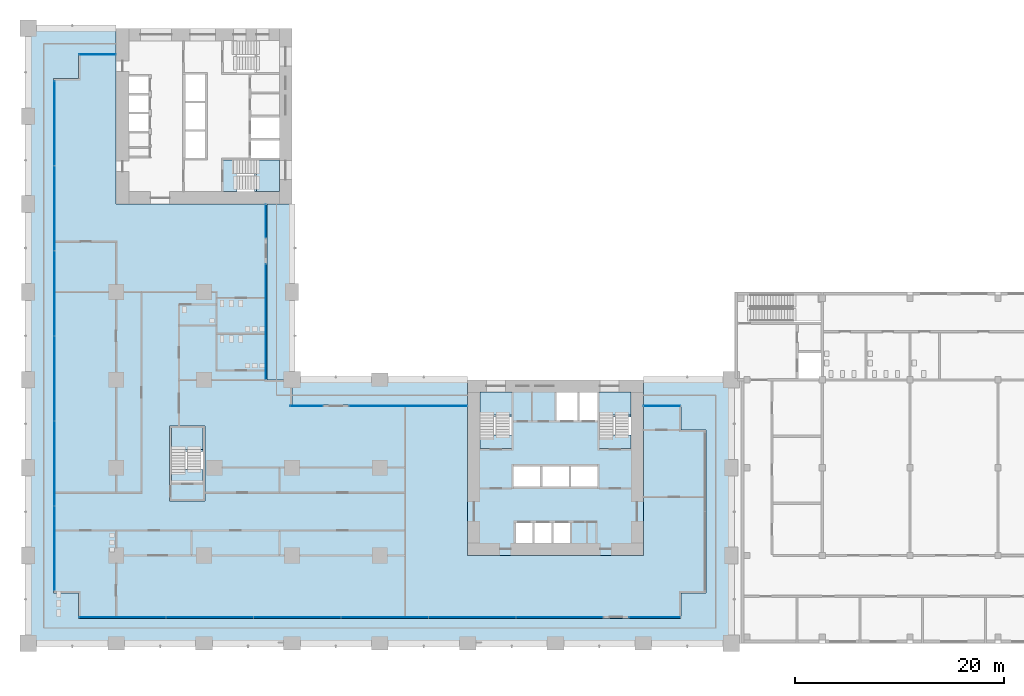
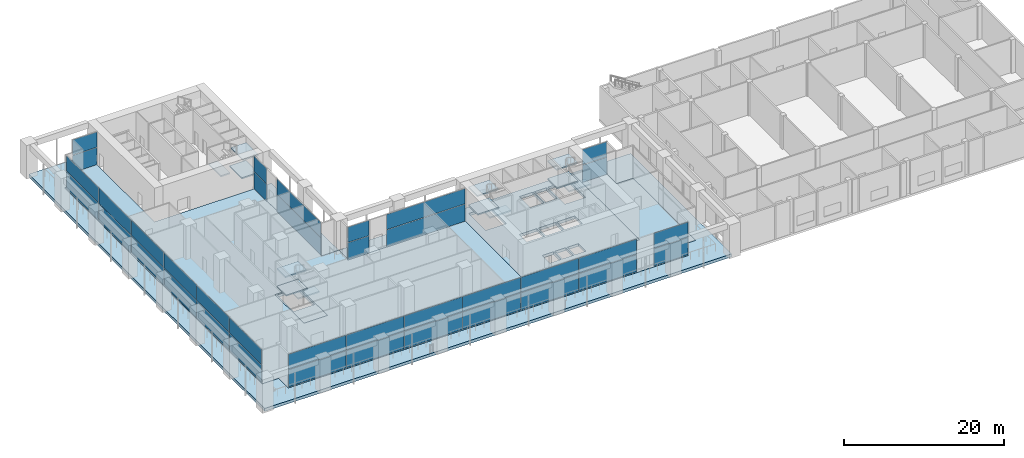
# One storey, part 13 of 33: 38 plates, 18 slabs, 13 elements without a shape of their own.
"""IFC4 building model written with IfcOpenShell, lengths in metres."""

from ifc_helpers import new_model, si_unit, direction, frame, origin, origin_2d, place, context, subcontext, project, spatial, polyline, rectangle, outline, extrude, material, layer, layer_set, type_object, element, aggregate, save


model = new_model("IFC4")

# Units and contexts
model_context = context("Model", 3, precision=1e-05, world=origin(), true_north=direction((0.0, 1.0)))
body_context = subcontext(model_context, "Body", "Model", "MODEL_VIEW")
ifc_project = project(units=[si_unit("LENGTHUNIT", "METRE"), si_unit("AREAUNIT", "SQUARE_METRE"), si_unit("VOLUMEUNIT", "CUBIC_METRE"), si_unit("PLANEANGLEUNIT", "RADIAN"), si_unit("MASSUNIT", "GRAM", prefix="KILO")], contexts=[model_context])

# Site, building, storey
site_placement = place(None, origin())
site = spatial("IfcSite", under=ifc_project, at=site_placement, CompositionType="ELEMENT")
building_placement = place(site_placement, origin())
building = spatial("IfcBuilding", under=site, at=building_placement, Name="Vermilion Gate Residences", CompositionType="ELEMENT")
storey_placement = place(building_placement, frame((0.0, 0.0, 14.39990234375)))
storey = spatial("IfcBuildingStorey", under=building, at=storey_placement, Name="L02", CompositionType="ELEMENT", Elevation=14.39990234375)

# Curtain wall, plates
ifc_material_1 = material(Name="Aluminium and glass", Category="aluminium")
curtain_wall_type = type_object("IfcCurtainWallType", Name="AMENITY GLAZING CURTAIN WALL", PredefinedType="NOTDEFINED", material=ifc_material_1)
curtain_wall_1_placement = place(storey_placement, origin())
curtain_wall_1 = element("IfcCurtainWall", 1, at=curtain_wall_1_placement, inside=storey, type_object=curtain_wall_type, Name="Amenity Glazing 0", PredefinedType="NOTDEFINED")
ifc_material_2 = material(Name="Low-iron glass", Category="glass")
ifc_layer_1 = layer(ifc_material_2, 0.028076171875)
ifc_layer_set_1 = layer_set([ifc_layer_1], Name="AMENITY GLAZING GLASS PANEL 28")
plate_type = type_object("IfcPlateType", Name="AMENITY GLAZING GLASS PANEL 28", PredefinedType="CURTAIN_PANEL", material=ifc_layer_set_1)
plate_1_placement = place(storey_placement, frame((6.60009765625, 56.300048828125, 0.06005859375), z_axis=(0.0, 0.0, 1.0), x_axis=(-1.0, 0.0, 0.0)))
plate_1 = element("IfcPlate", 2, at=plate_1_placement, type_object=plate_type, Name="ECW2 panel 1.1", PredefinedType="CURTAIN_PANEL", context=body_context, shape_type="SweptSolid", body=[
    extrude(rectangle(XDim=3.47998046875, YDim=0.028076171875, at=origin_2d()), origin(), (0.0, 0.0, 1.0), 2.610107421875),
])
plate_2_placement = place(storey_placement, frame((6.60009765625, 56.300048828125, 2.72998046875), z_axis=(0.0, 0.0, 1.0), x_axis=(-1.0, 0.0, 0.0)))
plate_2 = element("IfcPlate", 3, at=plate_2_placement, type_object=plate_type, Name="ECW2 panel 1.2", PredefinedType="CURTAIN_PANEL", context=body_context, shape_type="SweptSolid", body=[
    extrude(rectangle(XDim=3.47998046875, YDim=0.028076171875, at=origin_2d()), origin(), (0.0, 0.0, 1.0), 2.31005859375),
])
aggregate(curtain_wall_1, [plate_1, plate_2])

curtain_wall_2_placement = place(storey_placement, origin())
curtain_wall_2 = element("IfcCurtainWall", 4, at=curtain_wall_2_placement, inside=storey, type_object=curtain_wall_type, Name="Amenity Glazing 30", PredefinedType="NOTDEFINED")
plate_3_placement = place(storey_placement, frame((2.5, 49.71826171875, 0.06005859375), z_axis=(0.0, 0.0, 1.0), x_axis=(0.0, -1.0, 0.0)))
plate_3 = element("IfcPlate", 5, at=plate_3_placement, type_object=plate_type, Name="ECW2 panel 1.1", PredefinedType="CURTAIN_PANEL", context=body_context, shape_type="SweptSolid", body=[
    extrude(rectangle(XDim=8.043212890625, YDim=0.028076171875, at=origin_2d()), origin(), (0.0, 0.0, 1.0), 2.610107421875),
])
plate_4_placement = place(storey_placement, frame((2.5, 49.71826171875, 2.72998046875), z_axis=(0.0, 0.0, 1.0), x_axis=(0.0, -1.0, 0.0)))
plate_4 = element("IfcPlate", 6, at=plate_4_placement, type_object=plate_type, Name="ECW2 panel 1.2", PredefinedType="CURTAIN_PANEL", context=body_context, shape_type="SweptSolid", body=[
    extrude(rectangle(XDim=8.043212890625, YDim=0.028076171875, at=origin_2d()), origin(), (0.0, 0.0, 1.0), 2.31005859375),
])
plate_5_placement = place(storey_placement, frame((2.5, 41.60009765625, 0.06005859375), z_axis=(0.0, 0.0, 1.0), x_axis=(0.0, -1.0, 0.0)))
plate_5 = element("IfcPlate", 7, at=plate_5_placement, type_object=plate_type, Name="ECW2 panel 2.1", PredefinedType="CURTAIN_PANEL", context=body_context, shape_type="SweptSolid", body=[
    extrude(rectangle(XDim=8.0732421875, YDim=0.028076171875, at=origin_2d()), origin(), (0.0, 0.0, 1.0), 2.610107421875),
])
plate_6_placement = place(storey_placement, frame((2.5, 41.60009765625, 2.72998046875), z_axis=(0.0, 0.0, 1.0), x_axis=(0.0, -1.0, 0.0)))
plate_6 = element("IfcPlate", 8, at=plate_6_placement, type_object=plate_type, Name="ECW2 panel 2.2", PredefinedType="CURTAIN_PANEL", context=body_context, shape_type="SweptSolid", body=[
    extrude(rectangle(XDim=8.0732421875, YDim=0.028076171875, at=origin_2d()), origin(), (0.0, 0.0, 1.0), 2.31005859375),
])
plate_7_placement = place(storey_placement, frame((2.5, 33.466552734375, 0.06005859375), z_axis=(0.0, 0.0, 1.0), x_axis=(0.0, -1.0, 0.0)))
plate_7 = element("IfcPlate", 9, at=plate_7_placement, type_object=plate_type, Name="ECW2 panel 3.1", PredefinedType="CURTAIN_PANEL", context=body_context, shape_type="SweptSolid", body=[
    extrude(rectangle(XDim=8.0732421875, YDim=0.028076171875, at=origin_2d()), origin(), (0.0, 0.0, 1.0), 2.610107421875),
])
plate_8_placement = place(storey_placement, frame((2.5, 33.466552734375, 2.72998046875), z_axis=(0.0, 0.0, 1.0), x_axis=(0.0, -1.0, 0.0)))
plate_8 = element("IfcPlate", 10, at=plate_8_placement, type_object=plate_type, Name="ECW2 panel 3.2", PredefinedType="CURTAIN_PANEL", context=body_context, shape_type="SweptSolid", body=[
    extrude(rectangle(XDim=8.0732421875, YDim=0.028076171875, at=origin_2d()), origin(), (0.0, 0.0, 1.0), 2.31005859375),
])
plate_9_placement = place(storey_placement, frame((2.5, 25.333251953125, 0.06005859375), z_axis=(0.0, 0.0, 1.0), x_axis=(0.0, -1.0, 0.0)))
plate_9 = element("IfcPlate", 11, at=plate_9_placement, type_object=plate_type, Name="ECW2 panel 4.1", PredefinedType="CURTAIN_PANEL", context=body_context, shape_type="SweptSolid", body=[
    extrude(rectangle(XDim=8.0732421875, YDim=0.028076171875, at=origin_2d()), origin(), (0.0, 0.0, 1.0), 2.610107421875),
])
plate_10_placement = place(storey_placement, frame((2.5, 25.333251953125, 2.72998046875), z_axis=(0.0, 0.0, 1.0), x_axis=(0.0, -1.0, 0.0)))
plate_10 = element("IfcPlate", 12, at=plate_10_placement, type_object=plate_type, Name="ECW2 panel 4.2", PredefinedType="CURTAIN_PANEL", context=body_context, shape_type="SweptSolid", body=[
    extrude(rectangle(XDim=8.0732421875, YDim=0.028076171875, at=origin_2d()), origin(), (0.0, 0.0, 1.0), 2.31005859375),
])
plate_11_placement = place(storey_placement, frame((2.5, 17.199951171875, 0.06005859375), z_axis=(0.0, 0.0, 1.0), x_axis=(0.0, -1.0, 0.0)))
plate_11 = element("IfcPlate", 13, at=plate_11_placement, type_object=plate_type, Name="ECW2 panel 5.1", PredefinedType="CURTAIN_PANEL", context=body_context, shape_type="SweptSolid", body=[
    extrude(rectangle(XDim=8.0732421875, YDim=0.028076171875, at=origin_2d()), origin(), (0.0, 0.0, 1.0), 2.610107421875),
])
plate_12_placement = place(storey_placement, frame((2.5, 17.199951171875, 2.72998046875), z_axis=(0.0, 0.0, 1.0), x_axis=(0.0, -1.0, 0.0)))
plate_12 = element("IfcPlate", 14, at=plate_12_placement, type_object=plate_type, Name="ECW2 panel 5.2", PredefinedType="CURTAIN_PANEL", context=body_context, shape_type="SweptSolid", body=[
    extrude(rectangle(XDim=8.0732421875, YDim=0.028076171875, at=origin_2d()), origin(), (0.0, 0.0, 1.0), 2.31005859375),
])
plate_13_placement = place(storey_placement, frame((2.5, 9.081787109375, 0.06005859375), z_axis=(0.0, 0.0, 1.0), x_axis=(0.0, -1.0, 0.0)))
plate_13 = element("IfcPlate", 15, at=plate_13_placement, type_object=plate_type, Name="ECW2 panel 6.1", PredefinedType="CURTAIN_PANEL", context=body_context, shape_type="SweptSolid", body=[
    extrude(rectangle(XDim=8.043212890625, YDim=0.028076171875, at=origin_2d()), origin(), (0.0, 0.0, 1.0), 2.610107421875),
])
plate_14_placement = place(storey_placement, frame((2.5, 9.081787109375, 2.72998046875), z_axis=(0.0, 0.0, 1.0), x_axis=(0.0, -1.0, 0.0)))
plate_14 = element("IfcPlate", 16, at=plate_14_placement, type_object=plate_type, Name="ECW2 panel 6.2", PredefinedType="CURTAIN_PANEL", context=body_context, shape_type="SweptSolid", body=[
    extrude(rectangle(XDim=8.043212890625, YDim=0.028076171875, at=origin_2d()), origin(), (0.0, 0.0, 1.0), 2.31005859375),
])
aggregate(curtain_wall_2, [plate_3, plate_4, plate_5, plate_6, plate_7, plate_8, plate_9, plate_10, plate_11, plate_12, plate_13, plate_14])

curtain_wall_3_placement = place(storey_placement, origin())
curtain_wall_3 = element("IfcCurtainWall", 17, at=curtain_wall_3_placement, inside=storey, type_object=curtain_wall_type, Name="Amenity Glazing 60", PredefinedType="NOTDEFINED")
plate_15_placement = place(storey_placement, frame((8.998291015625, 2.5, 0.06005859375), z_axis=(0.0, 0.0, 1.0), x_axis=(1.0, 0.0, 0.0)))
plate_15 = element("IfcPlate", 18, at=plate_15_placement, type_object=plate_type, Name="ECW2 panel 1.1", PredefinedType="CURTAIN_PANEL", context=body_context, shape_type="SweptSolid", body=[
    extrude(rectangle(XDim=8.276611328125, YDim=0.028076171875, at=origin_2d()), origin(), (0.0, 0.0, 1.0), 2.610107421875),
])
plate_16_placement = place(storey_placement, frame((8.998291015625, 2.5, 2.72998046875), z_axis=(0.0, 0.0, 1.0), x_axis=(1.0, 0.0, 0.0)))
plate_16 = element("IfcPlate", 19, at=plate_16_placement, type_object=plate_type, Name="ECW2 panel 1.2", PredefinedType="CURTAIN_PANEL", context=body_context, shape_type="SweptSolid", body=[
    extrude(rectangle(XDim=8.276611328125, YDim=0.028076171875, at=origin_2d()), origin(), (0.0, 0.0, 1.0), 2.31005859375),
])
plate_17_placement = place(storey_placement, frame((17.35009765625, 2.5, 0.06005859375), z_axis=(0.0, 0.0, 1.0), x_axis=(1.0, 0.0, 0.0)))
plate_17 = element("IfcPlate", 20, at=plate_17_placement, type_object=plate_type, Name="ECW2 panel 2.1", PredefinedType="CURTAIN_PANEL", context=body_context, shape_type="SweptSolid", body=[
    extrude(rectangle(XDim=8.306640625, YDim=0.028076171875, at=origin_2d()), origin(), (0.0, 0.0, 1.0), 2.610107421875),
])
plate_18_placement = place(storey_placement, frame((17.35009765625, 2.5, 2.72998046875), z_axis=(0.0, 0.0, 1.0), x_axis=(1.0, 0.0, 0.0)))
plate_18 = element("IfcPlate", 21, at=plate_18_placement, type_object=plate_type, Name="ECW2 panel 2.2", PredefinedType="CURTAIN_PANEL", context=body_context, shape_type="SweptSolid", body=[
    extrude(rectangle(XDim=8.306640625, YDim=0.028076171875, at=origin_2d()), origin(), (0.0, 0.0, 1.0), 2.31005859375),
])
plate_19_placement = place(storey_placement, frame((25.716552734375, 2.5, 0.06005859375), z_axis=(0.0, 0.0, 1.0), x_axis=(1.0, 0.0, 0.0)))
plate_19 = element("IfcPlate", 22, at=plate_19_placement, type_object=plate_type, Name="ECW2 panel 3.1", PredefinedType="CURTAIN_PANEL", context=body_context, shape_type="SweptSolid", body=[
    extrude(rectangle(XDim=8.306640625, YDim=0.028076171875, at=origin_2d()), origin(), (0.0, 0.0, 1.0), 2.610107421875),
])
plate_20_placement = place(storey_placement, frame((25.716552734375, 2.5, 2.72998046875), z_axis=(0.0, 0.0, 1.0), x_axis=(1.0, 0.0, 0.0)))
plate_20 = element("IfcPlate", 23, at=plate_20_placement, type_object=plate_type, Name="ECW2 panel 3.2", PredefinedType="CURTAIN_PANEL", context=body_context, shape_type="SweptSolid", body=[
    extrude(rectangle(XDim=8.306640625, YDim=0.028076171875, at=origin_2d()), origin(), (0.0, 0.0, 1.0), 2.31005859375),
])
plate_21_placement = place(storey_placement, frame((34.083251953125, 2.5, 0.06005859375), z_axis=(0.0, 0.0, 1.0), x_axis=(1.0, 0.0, 0.0)))
plate_21 = element("IfcPlate", 24, at=plate_21_placement, type_object=plate_type, Name="ECW2 panel 4.1", PredefinedType="CURTAIN_PANEL", context=body_context, shape_type="SweptSolid", body=[
    extrude(rectangle(XDim=8.306640625, YDim=0.028076171875, at=origin_2d()), origin(), (0.0, 0.0, 1.0), 2.610107421875),
])
plate_22_placement = place(storey_placement, frame((34.083251953125, 2.5, 2.72998046875), z_axis=(0.0, 0.0, 1.0), x_axis=(1.0, 0.0, 0.0)))
plate_22 = element("IfcPlate", 25, at=plate_22_placement, type_object=plate_type, Name="ECW2 panel 4.2", PredefinedType="CURTAIN_PANEL", context=body_context, shape_type="SweptSolid", body=[
    extrude(rectangle(XDim=8.306640625, YDim=0.028076171875, at=origin_2d()), origin(), (0.0, 0.0, 1.0), 2.31005859375),
])
plate_23_placement = place(storey_placement, frame((42.449951171875, 2.5, 0.06005859375), z_axis=(0.0, 0.0, 1.0), x_axis=(1.0, 0.0, 0.0)))
plate_23 = element("IfcPlate", 26, at=plate_23_placement, type_object=plate_type, Name="ECW2 panel 5.1", PredefinedType="CURTAIN_PANEL", context=body_context, shape_type="SweptSolid", body=[
    extrude(rectangle(XDim=8.306640625, YDim=0.028076171875, at=origin_2d()), origin(), (0.0, 0.0, 1.0), 2.610107421875),
])
plate_24_placement = place(storey_placement, frame((42.449951171875, 2.5, 2.72998046875), z_axis=(0.0, 0.0, 1.0), x_axis=(1.0, 0.0, 0.0)))
plate_24 = element("IfcPlate", 27, at=plate_24_placement, type_object=plate_type, Name="ECW2 panel 5.2", PredefinedType="CURTAIN_PANEL", context=body_context, shape_type="SweptSolid", body=[
    extrude(rectangle(XDim=8.306640625, YDim=0.028076171875, at=origin_2d()), origin(), (0.0, 0.0, 1.0), 2.31005859375),
])
plate_25_placement = place(storey_placement, frame((50.8017578125, 2.5, 0.06005859375), z_axis=(0.0, 0.0, 1.0), x_axis=(1.0, 0.0, 0.0)))
plate_25 = element("IfcPlate", 28, at=plate_25_placement, type_object=plate_type, Name="ECW2 panel 6.1", PredefinedType="CURTAIN_PANEL", context=body_context, shape_type="SweptSolid", body=[
    extrude(rectangle(XDim=8.276611328125, YDim=0.028076171875, at=origin_2d()), origin(), (0.0, 0.0, 1.0), 2.610107421875),
])
plate_26_placement = place(storey_placement, frame((50.8017578125, 2.5, 2.72998046875), z_axis=(0.0, 0.0, 1.0), x_axis=(1.0, 0.0, 0.0)))
plate_26 = element("IfcPlate", 29, at=plate_26_placement, type_object=plate_type, Name="ECW2 panel 6.2", PredefinedType="CURTAIN_PANEL", context=body_context, shape_type="SweptSolid", body=[
    extrude(rectangle(XDim=8.276611328125, YDim=0.028076171875, at=origin_2d()), origin(), (0.0, 0.0, 1.0), 2.31005859375),
])
aggregate(curtain_wall_3, [plate_15, plate_16, plate_17, plate_18, plate_19, plate_20, plate_21, plate_22, plate_23, plate_24, plate_25, plate_26])

curtain_wall_4_placement = place(storey_placement, origin())
curtain_wall_4 = element("IfcCurtainWall", 30, at=curtain_wall_4_placement, inside=storey, type_object=curtain_wall_type, Name="Amenity Glazing 62", PredefinedType="NOTDEFINED")
plate_27_placement = place(storey_placement, frame((59.89990234375, 2.5, 0.06005859375), z_axis=(0.0, 0.0, 1.0), x_axis=(1.0, 0.0, 0.0)))
plate_27 = element("IfcPlate", 31, at=plate_27_placement, type_object=plate_type, Name="ECW2 panel 1.1", PredefinedType="CURTAIN_PANEL", context=body_context, shape_type="SweptSolid", body=[
    extrude(rectangle(XDim=4.8798828125, YDim=0.028076171875, at=origin_2d()), origin(), (0.0, 0.0, 1.0), 2.610107421875),
])
plate_28_placement = place(storey_placement, frame((59.89990234375, 2.5, 2.72998046875), z_axis=(0.0, 0.0, 1.0), x_axis=(1.0, 0.0, 0.0)))
plate_28 = element("IfcPlate", 32, at=plate_28_placement, type_object=plate_type, Name="ECW2 panel 1.2", PredefinedType="CURTAIN_PANEL", context=body_context, shape_type="SweptSolid", body=[
    extrude(rectangle(XDim=4.8798828125, YDim=0.028076171875, at=origin_2d()), origin(), (0.0, 0.0, 1.0), 2.31005859375),
])
aggregate(curtain_wall_4, [plate_27, plate_28])

curtain_wall_5_placement = place(storey_placement, origin())
curtain_wall_5 = element("IfcCurtainWall", 33, at=curtain_wall_5_placement, inside=storey, type_object=curtain_wall_type, Name="Amenity Glazing 120", PredefinedType="NOTDEFINED")
plate_29_placement = place(storey_placement, frame((60.60009765625, 22.699951171875, 0.06005859375), z_axis=(0.0, 0.0, 1.0), x_axis=(-1.0, 0.0, 0.0)))
plate_29 = element("IfcPlate", 34, at=plate_29_placement, type_object=plate_type, Name="ECW2 panel 1.1", PredefinedType="CURTAIN_PANEL", context=body_context, shape_type="SweptSolid", body=[
    extrude(rectangle(XDim=3.47998046875, YDim=0.028076171875, at=origin_2d()), origin(), (0.0, 0.0, 1.0), 2.610107421875),
])
plate_30_placement = place(storey_placement, frame((60.60009765625, 22.699951171875, 2.72998046875), z_axis=(0.0, 0.0, 1.0), x_axis=(-1.0, 0.0, 0.0)))
plate_30 = element("IfcPlate", 35, at=plate_30_placement, type_object=plate_type, Name="ECW2 panel 1.2", PredefinedType="CURTAIN_PANEL", context=body_context, shape_type="SweptSolid", body=[
    extrude(rectangle(XDim=3.47998046875, YDim=0.028076171875, at=origin_2d()), origin(), (0.0, 0.0, 1.0), 2.31005859375),
])
aggregate(curtain_wall_5, [plate_29, plate_30])

curtain_wall_6_placement = place(storey_placement, origin())
curtain_wall_6 = element("IfcCurtainWall", 36, at=curtain_wall_6_placement, inside=storey, type_object=curtain_wall_type, Name="Amenity Glazing 130", PredefinedType="NOTDEFINED")
plate_31_placement = place(storey_placement, frame((36.300048828125, 22.699951171875, 0.06005859375), z_axis=(0.0, 0.0, 1.0), x_axis=(-1.0, 0.0, 0.0)))
plate_31 = element("IfcPlate", 37, at=plate_31_placement, type_object=plate_type, Name="ECW2 panel 1.1", PredefinedType="CURTAIN_PANEL", context=body_context, shape_type="SweptSolid", body=[
    extrude(rectangle(XDim=11.280029296875, YDim=0.028076171875, at=origin_2d()), origin(), (0.0, 0.0, 1.0), 2.610107421875),
])
plate_32_placement = place(storey_placement, frame((36.300048828125, 22.699951171875, 2.72998046875), z_axis=(0.0, 0.0, 1.0), x_axis=(-1.0, 0.0, 0.0)))
plate_32 = element("IfcPlate", 38, at=plate_32_placement, type_object=plate_type, Name="ECW2 panel 1.2", PredefinedType="CURTAIN_PANEL", context=body_context, shape_type="SweptSolid", body=[
    extrude(rectangle(XDim=11.280029296875, YDim=0.028076171875, at=origin_2d()), origin(), (0.0, 0.0, 1.0), 2.31005859375),
])
aggregate(curtain_wall_6, [plate_31, plate_32])

curtain_wall_7_placement = place(storey_placement, origin())
curtain_wall_7 = element("IfcCurtainWall", 39, at=curtain_wall_7_placement, inside=storey, type_object=curtain_wall_type, Name="Amenity Glazing 132", PredefinedType="NOTDEFINED")
plate_33_placement = place(storey_placement, frame((26.60009765625, 22.699951171875, 0.06005859375), z_axis=(0.0, 0.0, 1.0), x_axis=(-1.0, 0.0, 0.0)))
plate_33 = element("IfcPlate", 40, at=plate_33_placement, type_object=plate_type, Name="ECW2 panel 1.1", PredefinedType="CURTAIN_PANEL", context=body_context, shape_type="SweptSolid", body=[
    extrude(rectangle(XDim=3.080078125, YDim=0.028076171875, at=origin_2d()), origin(), (0.0, 0.0, 1.0), 2.610107421875),
])
plate_34_placement = place(storey_placement, frame((26.60009765625, 22.699951171875, 2.72998046875), z_axis=(0.0, 0.0, 1.0), x_axis=(-1.0, 0.0, 0.0)))
plate_34 = element("IfcPlate", 41, at=plate_34_placement, type_object=plate_type, Name="ECW2 panel 1.2", PredefinedType="CURTAIN_PANEL", context=body_context, shape_type="SweptSolid", body=[
    extrude(rectangle(XDim=3.080078125, YDim=0.028076171875, at=origin_2d()), origin(), (0.0, 0.0, 1.0), 2.31005859375),
])
aggregate(curtain_wall_7, [plate_33, plate_34])

curtain_wall_8_placement = place(storey_placement, origin())
curtain_wall_8 = element("IfcCurtainWall", 42, at=curtain_wall_8_placement, inside=storey, type_object=curtain_wall_type, Name="Amenity Glazing 160", PredefinedType="NOTDEFINED")
plate_35_placement = place(storey_placement, frame((22.699951171875, 30.75, 0.06005859375), z_axis=(0.0, 0.0, 1.0), x_axis=(0.0, 1.0, 0.0)))
plate_35 = element("IfcPlate", 43, at=plate_35_placement, type_object=plate_type, Name="ECW2 panel 1.1", PredefinedType="CURTAIN_PANEL", context=body_context, shape_type="SweptSolid", body=[
    extrude(rectangle(XDim=10.97998046875, YDim=0.028076171875, at=origin_2d()), origin(), (0.0, 0.0, 1.0), 2.610107421875),
])
plate_36_placement = place(storey_placement, frame((22.699951171875, 30.75, 2.72998046875), z_axis=(0.0, 0.0, 1.0), x_axis=(0.0, 1.0, 0.0)))
plate_36 = element("IfcPlate", 44, at=plate_36_placement, type_object=plate_type, Name="ECW2 panel 1.2", PredefinedType="CURTAIN_PANEL", context=body_context, shape_type="SweptSolid", body=[
    extrude(rectangle(XDim=10.97998046875, YDim=0.028076171875, at=origin_2d()), origin(), (0.0, 0.0, 1.0), 2.31005859375),
])
aggregate(curtain_wall_8, [plate_35, plate_36])

curtain_wall_9_placement = place(storey_placement, origin())
curtain_wall_9 = element("IfcCurtainWall", 45, at=curtain_wall_9_placement, inside=storey, type_object=curtain_wall_type, Name="Amenity Glazing 162", PredefinedType="NOTDEFINED")
plate_37_placement = place(storey_placement, frame((22.699951171875, 40.35009765625, 0.06005859375), z_axis=(0.0, 0.0, 1.0), x_axis=(0.0, 1.0, 0.0)))
plate_37 = element("IfcPlate", 46, at=plate_37_placement, type_object=plate_type, Name="ECW2 panel 1.1", PredefinedType="CURTAIN_PANEL", context=body_context, shape_type="SweptSolid", body=[
    extrude(rectangle(XDim=3.179931640625, YDim=0.028076171875, at=origin_2d()), origin(), (0.0, 0.0, 1.0), 2.610107421875),
])
plate_38_placement = place(storey_placement, frame((22.699951171875, 40.35009765625, 2.72998046875), z_axis=(0.0, 0.0, 1.0), x_axis=(0.0, 1.0, 0.0)))
plate_38 = element("IfcPlate", 47, at=plate_38_placement, type_object=plate_type, Name="ECW2 panel 1.2", PredefinedType="CURTAIN_PANEL", context=body_context, shape_type="SweptSolid", body=[
    extrude(rectangle(XDim=3.179931640625, YDim=0.028076171875, at=origin_2d()), origin(), (0.0, 0.0, 1.0), 2.31005859375),
])
aggregate(curtain_wall_9, [plate_37, plate_38])

# Slabs
ifc_material_3 = material(Name="Concrete C50", Category="concrete")
ifc_layer_2 = layer(ifc_material_3, 0.419921875)
ifc_layer_set_2 = layer_set([ifc_layer_2], Name="RC CORE FLOOR SLAB 420 C50")
slab_type_1 = type_object("IfcSlabType", Name="RC CORE FLOOR SLAB 420 C50", PredefinedType="FLOOR", material=ifc_layer_set_2)
slab_1_placement = place(storey_placement, frame((0.0, 0.0, -0.419921875)))
element("IfcSlab", 48, at=slab_1_placement, inside=storey, type_object=slab_type_1, Name="Core floor slab A02", PredefinedType="FLOOR", context=body_context, shape_type="SweptSolid", body=[
    extrude(outline(polyline([(42.0, 8.39990234375), (58.800048828125, 8.39990234375), (58.800048828125, 25.199951171875), (42.0, 25.199951171875), (42.0, 8.39990234375)]), holes=[polyline([(46.60009765625, 11.5), (48.199951171875, 11.5), (48.199951171875, 9.60009765625), (46.60009765625, 9.60009765625), (46.60009765625, 11.5)]), polyline([(48.39990234375, 11.5), (50.0, 11.5), (50.0, 9.60009765625), (48.39990234375, 9.60009765625), (48.39990234375, 11.5)]), polyline([(50.199951171875, 11.5), (51.800048828125, 11.5), (51.800048828125, 9.60009765625), (50.199951171875, 9.60009765625), (50.199951171875, 11.5)]), polyline([(48.933349609375, 16.89990234375), (48.933349609375, 15.0), (46.39990234375, 15.0), (46.39990234375, 16.89990234375), (48.933349609375, 16.89990234375)]), polyline([(51.666748046875, 16.89990234375), (51.666748046875, 15.0), (49.13330078125, 15.0), (49.13330078125, 16.89990234375), (51.666748046875, 16.89990234375)]), polyline([(51.86669921875, 16.89990234375), (54.39990234375, 16.89990234375), (54.39990234375, 15.0), (51.86669921875, 15.0), (51.86669921875, 16.89990234375)]), polyline([(43.199951171875, 24.0), (46.199951171875, 24.0), (46.199951171875, 19.75), (43.199951171875, 19.75), (43.199951171875, 24.0)]), polyline([(54.60009765625, 24.0), (57.60009765625, 24.0), (57.60009765625, 19.75), (54.60009765625, 19.75), (54.60009765625, 24.0)]), polyline([(52.5, 24.0), (52.5, 21.300048828125), (50.5, 21.300048828125), (50.5, 24.0), (52.5, 24.0)]), polyline([(54.39990234375, 24.0), (54.39990234375, 21.300048828125), (52.699951171875, 21.300048828125), (52.699951171875, 24.0), (54.39990234375, 24.0)])]), origin(), (0.0, 0.0, 1.0), 0.419921875),
])
slab_2_placement = place(storey_placement, frame((0.0, 0.0, -0.419921875)))
element("IfcSlab", 49, at=slab_2_placement, inside=storey, type_object=slab_type_1, Name="Apex stair floor slab 02", PredefinedType="FLOOR", context=body_context, shape_type="SweptSolid", body=[
    extrude(outline(polyline([(13.5, 13.60009765625), (16.89990234375, 13.60009765625), (16.89990234375, 20.800048828125), (13.5, 20.800048828125), (13.5, 13.60009765625)]), holes=[polyline([(16.699951171875, 20.60009765625), (16.699951171875, 16.449951171875), (13.699951171875, 16.449951171875), (13.699951171875, 20.60009765625), (16.699951171875, 20.60009765625)])]), origin(), (0.0, 0.0, 1.0), 0.419921875),
])
ifc_material_4 = material(Name="Concrete C70 red-oxide pigmented", Category="concrete")
ifc_layer_3 = layer(ifc_material_4, 0.449951171875)
ifc_layer_set_3 = layer_set([ifc_layer_3], Name="RC LOGGIA SLAB 450 C70")
slab_type_2 = type_object("IfcSlabType", Name="RC LOGGIA SLAB 450 C70", PredefinedType="FLOOR", material=ifc_layer_set_3)
slab_3_placement = place(storey_placement, frame((0.0, 0.0, -0.449951171875)))
element("IfcSlab", 50, at=slab_3_placement, inside=storey, type_object=slab_type_2, Name="Loggia slab L02", PredefinedType="FLOOR", context=body_context, shape_type="SweptSolid", body=[
    extrude(outline(polyline([(0.0, 58.800048828125), (0.0, 0.0), (67.199951171875, 0.0), (67.199951171875, 25.199951171875), (58.800048828125, 25.199951171875), (58.800048828125, 22.800048828125), (62.39990234375, 22.800048828125), (62.39990234375, 20.39990234375), (64.800048828125, 20.39990234375), (64.800048828125, 4.800048828125), (62.39990234375, 4.800048828125), (62.39990234375, 2.39990234375), (4.800048828125, 2.39990234375), (4.800048828125, 4.800048828125), (2.39990234375, 4.800048828125), (2.39990234375, 54.0), (4.800048828125, 54.0), (4.800048828125, 56.39990234375), (8.39990234375, 56.39990234375), (8.39990234375, 58.800048828125), (0.0, 58.800048828125)])), origin(), (0.0, 0.0, 1.0), 0.449951171875),
])
slab_4_placement = place(storey_placement, frame((0.0, 0.0, -0.449951171875)))
element("IfcSlab", 51, at=slab_4_placement, inside=storey, type_object=slab_type_2, Name="Loggia slab L02", PredefinedType="FLOOR", context=body_context, shape_type="SweptSolid", body=[
    extrude(outline(polyline([(25.199951171875, 22.800048828125), (42.0, 22.800048828125), (42.0, 25.199951171875), (25.199951171875, 25.199951171875), (25.199951171875, 22.800048828125)])), origin(), (0.0, 0.0, 1.0), 0.449951171875),
])
slab_5_placement = place(storey_placement, frame((0.0, 0.0, -0.449951171875)))
element("IfcSlab", 52, at=slab_5_placement, inside=storey, type_object=slab_type_2, Name="Loggia slab L02", PredefinedType="FLOOR", context=body_context, shape_type="SweptSolid", body=[
    extrude(outline(polyline([(22.800048828125, 42.0), (22.800048828125, 25.199951171875), (25.199951171875, 25.199951171875), (25.199951171875, 42.0), (22.800048828125, 42.0)])), origin(), (0.0, 0.0, 1.0), 0.449951171875),
])
ifc_material_5 = material(Name="Concrete C70", Category="concrete")
ifc_layer_4 = layer(ifc_material_5, 0.449951171875)
ifc_layer_set_4 = layer_set([ifc_layer_4], Name="RC TRANSFER SLAB 450 C70")
slab_type_3 = type_object("IfcSlabType", Name="RC TRANSFER SLAB 450 C70", PredefinedType="FLOOR", material=ifc_layer_set_4)
slab_6_placement = place(storey_placement, frame((0.0, 0.0, -0.449951171875)))
element("IfcSlab", 53, at=slab_6_placement, inside=storey, type_object=slab_type_3, Name="Floor slab L02", PredefinedType="FLOOR", context=body_context, shape_type="SweptSolid", body=[
    extrude(outline(polyline([(22.800048828125, 25.199951171875), (22.800048828125, 42.0), (8.39990234375, 42.0), (8.39990234375, 56.39990234375), (4.800048828125, 56.39990234375), (4.800048828125, 54.0), (2.39990234375, 54.0), (2.39990234375, 4.800048828125), (4.800048828125, 4.800048828125), (4.800048828125, 2.39990234375), (62.39990234375, 2.39990234375), (62.39990234375, 4.800048828125), (64.800048828125, 4.800048828125), (64.800048828125, 20.39990234375), (62.39990234375, 20.39990234375), (62.39990234375, 22.800048828125), (58.800048828125, 22.800048828125), (58.800048828125, 8.39990234375), (42.0, 8.39990234375), (42.0, 22.800048828125), (25.199951171875, 22.800048828125), (25.199951171875, 25.199951171875), (22.800048828125, 25.199951171875)]), holes=[polyline([(13.5, 13.60009765625), (13.5, 20.800048828125), (16.89990234375, 20.800048828125), (16.89990234375, 13.60009765625), (13.5, 13.60009765625)])]), origin(), (0.0, 0.0, 1.0), 0.449951171875),
])

# Stair, slabs
ifc_material_6 = material(Name="Concrete C50", Category="concrete")
stair_type = type_object("IfcStairType", Name="SPECIAL ESCAPE STAIR 1300", PredefinedType="HALF_TURN_STAIR", material=ifc_material_6)
stair_1_placement = place(storey_placement, origin())
stair_1 = element("IfcStair", 54, at=stair_1_placement, inside=storey, type_object=stair_type, Name="Special escape stair STA1-02", PredefinedType="HALF_TURN_STAIR")
ifc_material_7 = material(Name="Concrete C50", Category="concrete")
ifc_layer_5 = layer(ifc_material_7, 0.199951171875)
ifc_layer_set_5 = layer_set([ifc_layer_5], Name="STAIR LANDING 200 C50")
slab_type_4 = type_object("IfcSlabType", Name="STAIR LANDING 200 C50", PredefinedType="LANDING", material=ifc_layer_set_5)
slab_7_placement = place(storey_placement, frame((0.0, 0.0, 1.150146484375)))
slab_7 = element("IfcSlab", 55, at=slab_7_placement, type_object=slab_type_4, Name="STA1-02 landing 1", PredefinedType="LANDING", context=body_context, shape_type="SweptSolid", body=[
    extrude(outline(polyline([(46.219970703125, 21.639892578125), (46.219970703125, 24.02001953125), (43.179931640625, 24.02001953125), (43.179931640625, 21.639892578125), (46.219970703125, 21.639892578125)])), origin(), (0.0, 0.0, 1.0), 0.199951171875),
])
slab_8_placement = place(storey_placement, frame((0.0, 0.0, 2.5)))
slab_8 = element("IfcSlab", 56, at=slab_8_placement, type_object=slab_type_4, Name="STA1-02 landing 2", PredefinedType="LANDING", context=body_context, shape_type="SweptSolid", body=[
    extrude(outline(polyline([(46.219970703125, 18.6298828125), (46.219970703125, 19.929931640625), (43.179931640625, 19.929931640625), (43.179931640625, 18.6298828125), (46.219970703125, 18.6298828125)])), origin(), (0.0, 0.0, 1.0), 0.2001953125),
])
slab_9_placement = place(storey_placement, frame((0.0, 0.0, 3.85009765625)))
slab_9 = element("IfcSlab", 57, at=slab_9_placement, type_object=slab_type_4, Name="STA1-02 landing 3", PredefinedType="LANDING", context=body_context, shape_type="SweptSolid", body=[
    extrude(outline(polyline([(46.219970703125, 21.820068359375), (46.219970703125, 24.02001953125), (43.179931640625, 24.02001953125), (43.179931640625, 21.820068359375), (46.219970703125, 21.820068359375)])), origin(), (0.0, 0.0, 1.0), 0.199951171875),
])
aggregate(stair_1, [slab_7, slab_8, slab_9])

stair_2_placement = place(storey_placement, origin())
stair_2 = element("IfcStair", 58, at=stair_2_placement, inside=storey, type_object=stair_type, Name="Special escape stair STA2-02", PredefinedType="HALF_TURN_STAIR")
slab_10_placement = place(storey_placement, frame((0.0, 0.0, 1.150146484375)))
slab_10 = element("IfcSlab", 59, at=slab_10_placement, type_object=slab_type_4, Name="STA2-02 landing 1", PredefinedType="LANDING", context=body_context, shape_type="SweptSolid", body=[
    extrude(outline(polyline([(57.6201171875, 21.639892578125), (57.6201171875, 24.02001953125), (54.580078125, 24.02001953125), (54.580078125, 21.639892578125), (57.6201171875, 21.639892578125)])), origin(), (0.0, 0.0, 1.0), 0.199951171875),
])
slab_11_placement = place(storey_placement, frame((0.0, 0.0, 2.5)))
slab_11 = element("IfcSlab", 60, at=slab_11_placement, type_object=slab_type_4, Name="STA2-02 landing 2", PredefinedType="LANDING", context=body_context, shape_type="SweptSolid", body=[
    extrude(outline(polyline([(57.6201171875, 18.6298828125), (57.6201171875, 19.929931640625), (54.580078125, 19.929931640625), (54.580078125, 18.6298828125), (57.6201171875, 18.6298828125)])), origin(), (0.0, 0.0, 1.0), 0.2001953125),
])
slab_12_placement = place(storey_placement, frame((0.0, 0.0, 3.85009765625)))
slab_12 = element("IfcSlab", 61, at=slab_12_placement, type_object=slab_type_4, Name="STA2-02 landing 3", PredefinedType="LANDING", context=body_context, shape_type="SweptSolid", body=[
    extrude(outline(polyline([(57.6201171875, 21.820068359375), (57.6201171875, 24.02001953125), (54.580078125, 24.02001953125), (54.580078125, 21.820068359375), (57.6201171875, 21.820068359375)])), origin(), (0.0, 0.0, 1.0), 0.199951171875),
])
aggregate(stair_2, [slab_10, slab_11, slab_12])

stair_3_placement = place(storey_placement, origin())
stair_3 = element("IfcStair", 62, at=stair_3_placement, inside=storey, type_object=stair_type, Name="Special escape stair STB2-02", PredefinedType="HALF_TURN_STAIR")
slab_13_placement = place(storey_placement, frame((0.0, 0.0, 1.150146484375)))
slab_13 = element("IfcSlab", 63, at=slab_13_placement, type_object=slab_type_4, Name="STB2-02 landing 1", PredefinedType="LANDING", context=body_context, shape_type="SweptSolid", body=[
    extrude(outline(polyline([(24.02001953125, 43.179931640625), (24.02001953125, 46.219970703125), (21.639892578125, 46.219970703125), (21.639892578125, 43.179931640625), (24.02001953125, 43.179931640625)])), origin(), (0.0, 0.0, 1.0), 0.199951171875),
])
slab_14_placement = place(storey_placement, frame((0.0, 0.0, 2.5)))
slab_14 = element("IfcSlab", 64, at=slab_14_placement, type_object=slab_type_4, Name="STB2-02 landing 2", PredefinedType="LANDING", context=body_context, shape_type="SweptSolid", body=[
    extrude(outline(polyline([(19.929931640625, 43.179931640625), (19.929931640625, 46.219970703125), (18.6298828125, 46.219970703125), (18.6298828125, 43.179931640625), (19.929931640625, 43.179931640625)])), origin(), (0.0, 0.0, 1.0), 0.2001953125),
])
slab_15_placement = place(storey_placement, frame((0.0, 0.0, 3.85009765625)))
slab_15 = element("IfcSlab", 65, at=slab_15_placement, type_object=slab_type_4, Name="STB2-02 landing 3", PredefinedType="LANDING", context=body_context, shape_type="SweptSolid", body=[
    extrude(outline(polyline([(24.02001953125, 43.179931640625), (24.02001953125, 46.219970703125), (21.820068359375, 46.219970703125), (21.820068359375, 43.179931640625), (24.02001953125, 43.179931640625)])), origin(), (0.0, 0.0, 1.0), 0.199951171875),
])
aggregate(stair_3, [slab_13, slab_14, slab_15])

stair_4_placement = place(storey_placement, origin())
stair_4 = element("IfcStair", 66, at=stair_4_placement, inside=storey, type_object=stair_type, Name="Special escape stair STC1-02", PredefinedType="HALF_TURN_STAIR")
slab_16_placement = place(storey_placement, frame((0.0, 0.0, 1.150146484375)))
slab_16 = element("IfcSlab", 67, at=slab_16_placement, type_object=slab_type_4, Name="STC1-02 landing 1", PredefinedType="LANDING", context=body_context, shape_type="SweptSolid", body=[
    extrude(outline(polyline([(16.719970703125, 18.340087890625), (16.719970703125, 20.6201171875), (13.679931640625, 20.6201171875), (13.679931640625, 18.340087890625), (16.719970703125, 18.340087890625)])), origin(), (0.0, 0.0, 1.0), 0.199951171875),
])
slab_17_placement = place(storey_placement, frame((0.0, 0.0, 2.5)))
slab_17 = element("IfcSlab", 68, at=slab_17_placement, type_object=slab_type_4, Name="STC1-02 landing 2", PredefinedType="LANDING", context=body_context, shape_type="SweptSolid", body=[
    extrude(outline(polyline([(16.719970703125, 15.330078125), (16.719970703125, 16.6298828125), (13.679931640625, 16.6298828125), (13.679931640625, 15.330078125), (16.719970703125, 15.330078125)])), origin(), (0.0, 0.0, 1.0), 0.2001953125),
])
slab_18_placement = place(storey_placement, frame((0.0, 0.0, 3.85009765625)))
slab_18 = element("IfcSlab", 69, at=slab_18_placement, type_object=slab_type_4, Name="STC1-02 landing 3", PredefinedType="LANDING", context=body_context, shape_type="SweptSolid", body=[
    extrude(outline(polyline([(16.719970703125, 18.52001953125), (16.719970703125, 20.6201171875), (13.679931640625, 20.6201171875), (13.679931640625, 18.52001953125), (16.719970703125, 18.52001953125)])), origin(), (0.0, 0.0, 1.0), 0.199951171875),
])
aggregate(stair_4, [slab_16, slab_17, slab_18])

save(model, "model.ifc")
